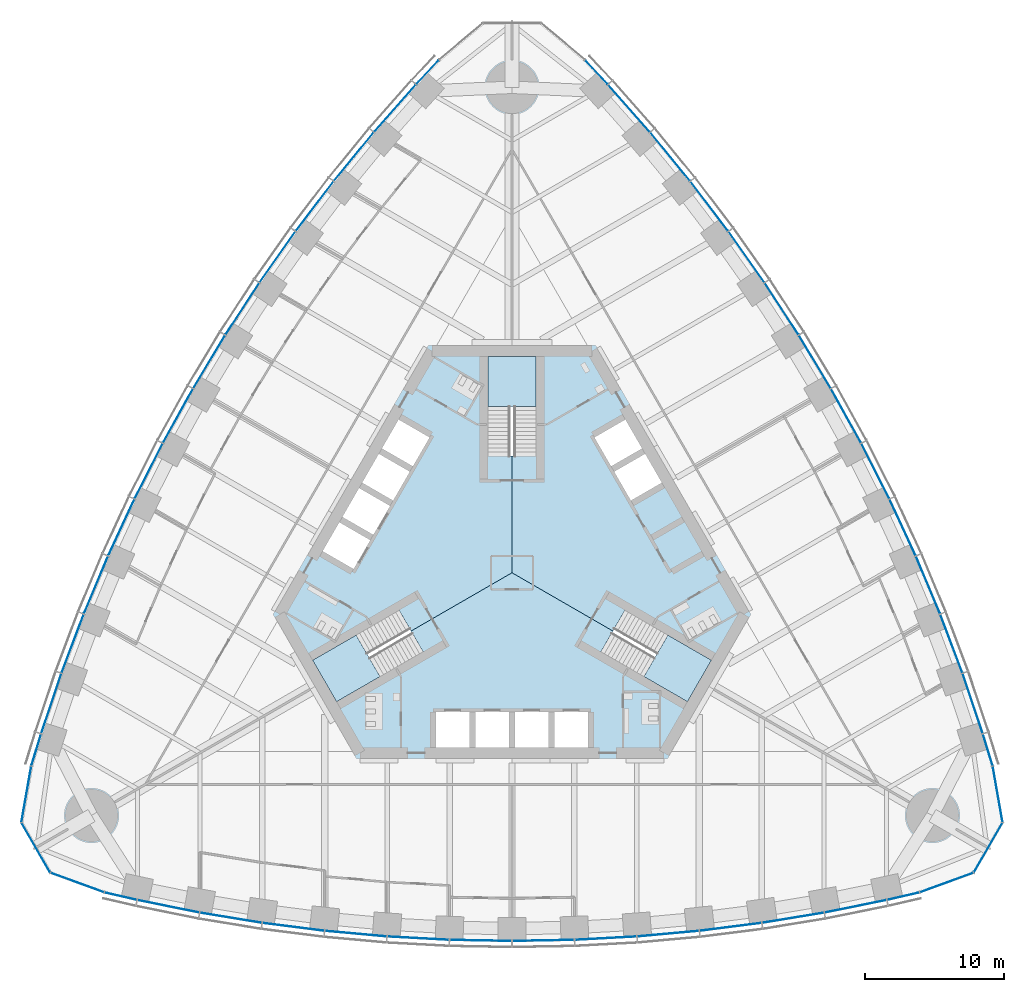
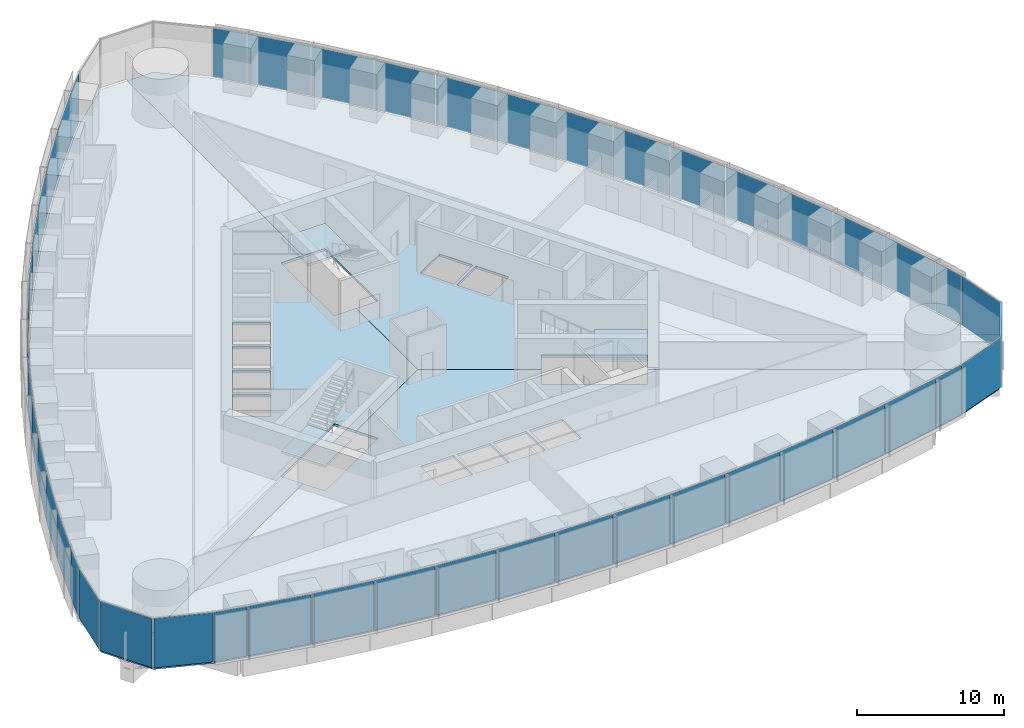
# One storey, part 9 of 18: 48 plates, 6 slabs, 8 elements without a shape of their own.
"""IFC4 building model written with IfcOpenShell, lengths in metres."""

from ifc_helpers import new_model, si_unit, direction, frame, origin, origin_2d, place, context, subcontext, project, spatial, polyline, rectangle, outline, extrude, material, layer, layer_set, type_object, element, aggregate, save


model = new_model("IFC4")

# Units and contexts
model_context = context("Model", 3, precision=1e-05, world=origin(), true_north=direction((0.0, 1.0)))
body_context = subcontext(model_context, "Body", "Model", "MODEL_VIEW")
ifc_project = project(units=[si_unit("LENGTHUNIT", "METRE"), si_unit("AREAUNIT", "SQUARE_METRE"), si_unit("VOLUMEUNIT", "CUBIC_METRE"), si_unit("PLANEANGLEUNIT", "RADIAN"), si_unit("MASSUNIT", "GRAM", prefix="KILO")], contexts=[model_context])

# Site, building, storey
site_placement = place(None, origin())
site = spatial("IfcSite", under=ifc_project, at=site_placement, CompositionType="ELEMENT")
building_placement = place(site_placement, origin())
building = spatial("IfcBuilding", under=site, at=building_placement, Name="Trefoil Bronze Tower", CompositionType="ELEMENT")
storey_placement = place(building_placement, frame((0.0, 0.0, 161.89990234375)))
storey = spatial("IfcBuildingStorey", under=building, at=storey_placement, Name="L37", CompositionType="ELEMENT", Elevation=161.89990234375)

# Curtain wall, plates
ifc_material_1 = material(Name="Tinted solar-control glass", Category="glass")
curtain_wall_type_1 = type_object("IfcCurtainWallType", Name="Bronze office curtain wall", PredefinedType="USERDEFINED", material=ifc_material_1)
curtain_wall_1_placement = place(storey_placement, origin())
curtain_wall_1 = element("IfcCurtainWall", 1, at=curtain_wall_1_placement, inside=storey, type_object=curtain_wall_type_1, Name="CW-A L37 F1", ObjectType="CURTAIN WALL", PredefinedType="USERDEFINED")
ifc_material_2 = material(Name="Tinted solar-control glass", Category="glass")
ifc_layer_1 = layer(ifc_material_2, 0.030029296875)
ifc_layer_set_1 = layer_set([ifc_layer_1], Name="Bronze office curtain wall glass panel")
plate_type_1 = type_object("IfcPlateType", Name="Bronze office curtain wall glass panel", PredefinedType="CURTAIN_PANEL", material=ifc_layer_set_1)
plate_1_placement = place(storey_placement, frame((-28.201416015625, -23.320068359375, 0.0), z_axis=(0.0, 0.0, 1.0), x_axis=(0.97420444715, -0.225667222151, 0.0)))
plate_1 = element("IfcPlate", 2, at=plate_1_placement, type_object=plate_type_1, Name="CW-A L37 F1 panel 1", PredefinedType="CURTAIN_PANEL", context=body_context, shape_type="SweptSolid", body=[
    extrude(rectangle(XDim=2.340087890625, YDim=0.030029296875, at=origin_2d()), origin(), (0.0, 0.0, 1.0), 4.080078125),
])
plate_2_placement = place(storey_placement, frame((-24.769775390625, -24.048828125, 0.0), z_axis=(0.0, 0.0, 1.0), x_axis=(0.980155155547, -0.198231861853, 0.0)))
plate_2 = element("IfcPlate", 3, at=plate_2_placement, type_object=plate_type_1, Name="CW-A L37 F1 panel 2", PredefinedType="CURTAIN_PANEL", context=body_context, shape_type="SweptSolid", body=[
    extrude(rectangle(XDim=4.51123046875, YDim=0.030029296875, at=origin_2d()), origin(), (0.0, 0.0, 1.0), 4.080078125),
])
plate_3_placement = place(storey_placement, frame((-20.26611328125, -24.87451171875, 0.0), z_axis=(0.0, 0.0, 1.0), x_axis=(0.986759655731, -0.162189339418, 0.0)))
plate_3 = element("IfcPlate", 4, at=plate_3_placement, type_object=plate_type_1, Name="CW-A L37 F1 panel 3", PredefinedType="CURTAIN_PANEL", context=body_context, shape_type="SweptSolid", body=[
    extrude(rectangle(XDim=4.48046875, YDim=0.030029296875, at=origin_2d()), origin(), (0.0, 0.0, 1.0), 4.080078125),
])
plate_4_placement = place(storey_placement, frame((-15.7626953125, -25.53076171875, 0.0), z_axis=(0.0, 0.0, 1.0), x_axis=(0.992011554286, -0.126147041833, 0.0)))
plate_4 = element("IfcPlate", 5, at=plate_4_placement, type_object=plate_type_1, Name="CW-A L37 F1 panel 4", PredefinedType="CURTAIN_PANEL", context=body_context, shape_type="SweptSolid", body=[
    extrude(rectangle(XDim=4.456298828125, YDim=0.030029296875, at=origin_2d()), origin(), (0.0, 0.0, 1.0), 4.080078125),
])
plate_5_placement = place(storey_placement, frame((-11.259033203125, -26.02099609375, 0.0), z_axis=(0.0, 0.0, 1.0), x_axis=(0.995932279146, -0.090104913044, 0.0)))
plate_5 = element("IfcPlate", 6, at=plate_5_placement, type_object=plate_type_1, Name="CW-A L37 F1 panel 5", PredefinedType="CURTAIN_PANEL", context=body_context, shape_type="SweptSolid", body=[
    extrude(rectangle(XDim=4.4384765625, YDim=0.030029296875, at=origin_2d()), origin(), (0.0, 0.0, 1.0), 4.080078125),
])
plate_6_placement = place(storey_placement, frame((-6.75537109375, -26.3466796875, 0.0), z_axis=(0.0, 0.0, 1.0), x_axis=(0.998537531923, -0.054062901701, 0.0)))
plate_6 = element("IfcPlate", 7, at=plate_6_placement, type_object=plate_type_1, Name="CW-A L37 F1 panel 6", PredefinedType="CURTAIN_PANEL", context=body_context, shape_type="SweptSolid", body=[
    extrude(rectangle(XDim=4.426513671875, YDim=0.030029296875, at=origin_2d()), origin(), (0.0, 0.0, 1.0), 4.080078125),
])
plate_7_placement = place(storey_placement, frame((-2.251708984375, -26.509033203125, 0.0), z_axis=(0.0, 0.0, 1.0), x_axis=(0.999837609322, -0.018020959612, 0.0)))
plate_7 = element("IfcPlate", 8, at=plate_7_placement, type_object=plate_type_1, Name="CW-A L37 F1 panel 7", PredefinedType="CURTAIN_PANEL", context=body_context, shape_type="SweptSolid", body=[
    extrude(rectangle(XDim=4.420654296875, YDim=0.030029296875, at=origin_2d()), origin(), (0.0, 0.0, 1.0), 4.080078125),
])
plate_8_placement = place(storey_placement, frame((2.251708984375, -26.509033203125, 0.0), z_axis=(0.0, 0.0, 1.0), x_axis=(0.999837609322, 0.018020959612, 0.0)))
plate_8 = element("IfcPlate", 9, at=plate_8_placement, type_object=plate_type_1, Name="CW-A L37 F1 panel 8", PredefinedType="CURTAIN_PANEL", context=body_context, shape_type="SweptSolid", body=[
    extrude(rectangle(XDim=4.420654296875, YDim=0.030029296875, at=origin_2d()), origin(), (0.0, 0.0, 1.0), 4.080078125),
])
plate_9_placement = place(storey_placement, frame((6.75537109375, -26.3466796875, 0.0), z_axis=(0.0, 0.0, 1.0), x_axis=(0.998537531923, 0.054062901701, 0.0)))
plate_9 = element("IfcPlate", 10, at=plate_9_placement, type_object=plate_type_1, Name="CW-A L37 F1 panel 9", PredefinedType="CURTAIN_PANEL", context=body_context, shape_type="SweptSolid", body=[
    extrude(rectangle(XDim=4.426513671875, YDim=0.030029296875, at=origin_2d()), origin(), (0.0, 0.0, 1.0), 4.080078125),
])
plate_10_placement = place(storey_placement, frame((11.259033203125, -26.02099609375, 0.0), z_axis=(0.0, 0.0, 1.0), x_axis=(0.995932279146, 0.090104913044, 0.0)))
plate_10 = element("IfcPlate", 11, at=plate_10_placement, type_object=plate_type_1, Name="CW-A L37 F1 panel 10", PredefinedType="CURTAIN_PANEL", context=body_context, shape_type="SweptSolid", body=[
    extrude(rectangle(XDim=4.4384765625, YDim=0.030029296875, at=origin_2d()), origin(), (0.0, 0.0, 1.0), 4.080078125),
])
plate_11_placement = place(storey_placement, frame((15.7626953125, -25.53076171875, 0.0), z_axis=(0.0, 0.0, 1.0), x_axis=(0.992011554286, 0.126147041833, 0.0)))
plate_11 = element("IfcPlate", 12, at=plate_11_placement, type_object=plate_type_1, Name="CW-A L37 F1 panel 11", PredefinedType="CURTAIN_PANEL", context=body_context, shape_type="SweptSolid", body=[
    extrude(rectangle(XDim=4.456298828125, YDim=0.030029296875, at=origin_2d()), origin(), (0.0, 0.0, 1.0), 4.080078125),
])
plate_12_placement = place(storey_placement, frame((20.26611328125, -24.87451171875, 0.0), z_axis=(0.0, 0.0, 1.0), x_axis=(0.986759655731, 0.162189339418, 0.0)))
plate_12 = element("IfcPlate", 13, at=plate_12_placement, type_object=plate_type_1, Name="CW-A L37 F1 panel 12", PredefinedType="CURTAIN_PANEL", context=body_context, shape_type="SweptSolid", body=[
    extrude(rectangle(XDim=4.48046875, YDim=0.030029296875, at=origin_2d()), origin(), (0.0, 0.0, 1.0), 4.080078125),
])
plate_13_placement = place(storey_placement, frame((24.769775390625, -24.048828125, 0.0), z_axis=(0.0, 0.0, 1.0), x_axis=(0.980155155547, 0.198231861853, 0.0)))
plate_13 = element("IfcPlate", 14, at=plate_13_placement, type_object=plate_type_1, Name="CW-A L37 F1 panel 13", PredefinedType="CURTAIN_PANEL", context=body_context, shape_type="SweptSolid", body=[
    extrude(rectangle(XDim=4.51123046875, YDim=0.030029296875, at=origin_2d()), origin(), (0.0, 0.0, 1.0), 4.080078125),
])
plate_14_placement = place(storey_placement, frame((28.201416015625, -23.320068359375, 0.0), z_axis=(0.0, 0.0, 1.0), x_axis=(0.97420444715, 0.225667222151, 0.0)))
plate_14 = element("IfcPlate", 15, at=plate_14_placement, type_object=plate_type_1, Name="CW-A L37 F1 panel 14", PredefinedType="CURTAIN_PANEL", context=body_context, shape_type="SweptSolid", body=[
    extrude(rectangle(XDim=2.340087890625, YDim=0.030029296875, at=origin_2d()), origin(), (0.0, 0.0, 1.0), 4.080078125),
])
aggregate(curtain_wall_1, [plate_1, plate_2, plate_3, plate_4, plate_5, plate_6, plate_7, plate_8, plate_9, plate_10, plate_11, plate_12, plate_13, plate_14])

curtain_wall_2_placement = place(storey_placement, origin())
curtain_wall_2 = element("IfcCurtainWall", 16, at=curtain_wall_2_placement, inside=storey, type_object=curtain_wall_type_1, Name="CW-A L37 F2", ObjectType="CURTAIN WALL", PredefinedType="USERDEFINED")
plate_15_placement = place(storey_placement, frame((34.296630859375, -12.762939453125, 0.0), z_axis=(0.0, 0.0, 1.0), x_axis=(-0.291668676391, 0.956519410787, 0.0)))
plate_15 = element("IfcPlate", 17, at=plate_15_placement, type_object=plate_type_1, Name="CW-A L37 F2 panel 1", PredefinedType="CURTAIN_PANEL", context=body_context, shape_type="SweptSolid", body=[
    extrude(rectangle(XDim=2.340087890625, YDim=0.030029296875, at=origin_2d()), origin(), (0.0, 0.0, 1.0), 4.080078125),
])
plate_16_placement = place(storey_placement, frame((33.2119140625, -9.4267578125, 0.0), z_axis=(0.0, 0.0, 1.0), x_axis=(-0.318403749569, 0.947955195281, 0.0)))
plate_16 = element("IfcPlate", 18, at=plate_16_placement, type_object=plate_type_1, Name="CW-A L37 F2 panel 2", PredefinedType="CURTAIN_PANEL", context=body_context, shape_type="SweptSolid", body=[
    extrude(rectangle(XDim=4.51123046875, YDim=0.030029296875, at=origin_2d()), origin(), (0.0, 0.0, 1.0), 4.080078125),
])
plate_17_placement = place(storey_placement, frame((31.675048828125, -5.11376953125, 0.0), z_axis=(0.0, 0.0, 1.0), x_axis=(-0.352919739707, 0.935653599002, 0.0)))
plate_17 = element("IfcPlate", 19, at=plate_17_placement, type_object=plate_type_1, Name="CW-A L37 F2 panel 3", PredefinedType="CURTAIN_PANEL", context=body_context, shape_type="SweptSolid", body=[
    extrude(rectangle(XDim=4.48046875, YDim=0.030029296875, at=origin_2d()), origin(), (0.0, 0.0, 1.0), 4.080078125),
])
plate_18_placement = place(storey_placement, frame((29.99169921875, -0.885498046875, 0.0), z_axis=(0.0, 0.0, 1.0), x_axis=(-0.386759234303, 0.922180727776, 0.0)))
plate_18 = element("IfcPlate", 20, at=plate_18_placement, type_object=plate_type_1, Name="CW-A L37 F2 panel 4", PredefinedType="CURTAIN_PANEL", context=body_context, shape_type="SweptSolid", body=[
    extrude(rectangle(XDim=4.456298828125, YDim=0.030029296875, at=origin_2d()), origin(), (0.0, 0.0, 1.0), 4.080078125),
])
plate_19_placement = place(storey_placement, frame((28.164306640625, 3.260009765625, 0.0), z_axis=(0.0, 0.0, 1.0), x_axis=(-0.419932995871, 0.907555110712, 0.0)))
plate_19 = element("IfcPlate", 21, at=plate_19_placement, type_object=plate_type_1, Name="CW-A L37 F2 panel 5", PredefinedType="CURTAIN_PANEL", context=body_context, shape_type="SweptSolid", body=[
    extrude(rectangle(XDim=4.4384765625, YDim=0.030029296875, at=origin_2d()), origin(), (0.0, 0.0, 1.0), 4.080078125),
])
plate_20_placement = place(storey_placement, frame((26.194580078125, 7.322998046875, 0.0), z_axis=(0.0, 0.0, 1.0), x_axis=(-0.452448919686, 0.891790320128, 0.0)))
plate_20 = element("IfcPlate", 22, at=plate_20_placement, type_object=plate_type_1, Name="CW-A L37 F2 panel 6", PredefinedType="CURTAIN_PANEL", context=body_context, shape_type="SweptSolid", body=[
    extrude(rectangle(XDim=4.426513671875, YDim=0.030029296875, at=origin_2d()), origin(), (0.0, 0.0, 1.0), 4.080078125),
])
plate_21_placement = place(storey_placement, frame((24.08349609375, 11.304443359375, 0.0), z_axis=(0.0, 0.0, 1.0), x_axis=(-0.484312195836, 0.874895249138, 0.0)))
plate_21 = element("IfcPlate", 23, at=plate_21_placement, type_object=plate_type_1, Name="CW-A L37 F2 panel 7", PredefinedType="CURTAIN_PANEL", context=body_context, shape_type="SweptSolid", body=[
    extrude(rectangle(XDim=4.420654296875, YDim=0.030029296875, at=origin_2d()), origin(), (0.0, 0.0, 1.0), 4.080078125),
])
plate_22_placement = place(storey_placement, frame((21.83154296875, 15.20458984375, 0.0), z_axis=(0.0, 0.0, 1.0), x_axis=(-0.515525413486, 0.856874289526, 0.0)))
plate_22 = element("IfcPlate", 24, at=plate_22_placement, type_object=plate_type_1, Name="CW-A L37 F2 panel 8", PredefinedType="CURTAIN_PANEL", context=body_context, shape_type="SweptSolid", body=[
    extrude(rectangle(XDim=4.420654296875, YDim=0.030029296875, at=origin_2d()), origin(), (0.0, 0.0, 1.0), 4.080078125),
])
plate_23_placement = place(storey_placement, frame((19.439208984375, 19.023681640625, 0.0), z_axis=(0.0, 0.0, 1.0), x_axis=(-0.546088612237, 0.837727418427, 0.0)))
plate_23 = element("IfcPlate", 25, at=plate_23_placement, type_object=plate_type_1, Name="CW-A L37 F2 panel 9", PredefinedType="CURTAIN_PANEL", context=body_context, shape_type="SweptSolid", body=[
    extrude(rectangle(XDim=4.426513671875, YDim=0.030029296875, at=origin_2d()), origin(), (0.0, 0.0, 1.0), 4.080078125),
])
plate_24_placement = place(storey_placement, frame((16.9052734375, 22.760986328125, 0.0), z_axis=(0.0, 0.0, 1.0), x_axis=(-0.575999283275, 0.817450197667, 0.0)))
plate_24 = element("IfcPlate", 26, at=plate_24_placement, type_object=plate_type_1, Name="CW-A L37 F2 panel 10", PredefinedType="CURTAIN_PANEL", context=body_context, shape_type="SweptSolid", body=[
    extrude(rectangle(XDim=4.4384765625, YDim=0.030029296875, at=origin_2d()), origin(), (0.0, 0.0, 1.0), 4.080078125),
])
plate_25_placement = place(storey_placement, frame((14.22900390625, 26.416259765625, 0.0), z_axis=(0.0, 0.0, 1.0), x_axis=(-0.605252319983, 0.796033685943, 0.0)))
plate_25 = element("IfcPlate", 27, at=plate_25_placement, type_object=plate_type_1, Name="CW-A L37 F2 panel 11", PredefinedType="CURTAIN_PANEL", context=body_context, shape_type="SweptSolid", body=[
    extrude(rectangle(XDim=4.456298828125, YDim=0.030029296875, at=origin_2d()), origin(), (0.0, 0.0, 1.0), 4.080078125),
])
plate_26_placement = place(storey_placement, frame((11.40869140625, 29.98828125, 0.0), z_axis=(0.0, 0.0, 1.0), x_axis=(-0.633839916024, 0.773464259584, 0.0)))
plate_26 = element("IfcPlate", 28, at=plate_26_placement, type_object=plate_type_1, Name="CW-A L37 F2 panel 12", PredefinedType="CURTAIN_PANEL", context=body_context, shape_type="SweptSolid", body=[
    extrude(rectangle(XDim=4.48046875, YDim=0.030029296875, at=origin_2d()), origin(), (0.0, 0.0, 1.0), 4.080078125),
])
plate_27_placement = place(storey_placement, frame((8.442138671875, 33.475830078125, 0.0), z_axis=(0.0, 0.0, 1.0), x_axis=(-0.661751405978, 0.749723333428, 0.0)))
plate_27 = element("IfcPlate", 29, at=plate_27_placement, type_object=plate_type_1, Name="CW-A L37 F2 panel 13", PredefinedType="CURTAIN_PANEL", context=body_context, shape_type="SweptSolid", body=[
    extrude(rectangle(XDim=4.51123046875, YDim=0.030029296875, at=origin_2d()), origin(), (0.0, 0.0, 1.0), 4.080078125),
])
plate_28_placement = place(storey_placement, frame((6.09521484375, 36.083251953125, 0.0), z_axis=(0.0, 0.0, 1.0), x_axis=(-0.682535770759, 0.730852188636, 0.0)))
plate_28 = element("IfcPlate", 30, at=plate_28_placement, type_object=plate_type_1, Name="CW-A L37 F2 panel 14", PredefinedType="CURTAIN_PANEL", context=body_context, shape_type="SweptSolid", body=[
    extrude(rectangle(XDim=2.340087890625, YDim=0.030029296875, at=origin_2d()), origin(), (0.0, 0.0, 1.0), 4.080078125),
])
aggregate(curtain_wall_2, [plate_15, plate_16, plate_17, plate_18, plate_19, plate_20, plate_21, plate_22, plate_23, plate_24, plate_25, plate_26, plate_27, plate_28])

curtain_wall_3_placement = place(storey_placement, origin())
curtain_wall_3 = element("IfcCurtainWall", 31, at=curtain_wall_3_placement, inside=storey, type_object=curtain_wall_type_1, Name="CW-A L37 F3", ObjectType="CURTAIN WALL", PredefinedType="USERDEFINED")
plate_29_placement = place(storey_placement, frame((-6.09521484375, 36.083251953125, 0.0), z_axis=(0.0, 0.0, 1.0), x_axis=(-0.682535770759, -0.730852188636, 0.0)))
plate_29 = element("IfcPlate", 32, at=plate_29_placement, type_object=plate_type_1, Name="CW-A L37 F3 panel 1", PredefinedType="CURTAIN_PANEL", context=body_context, shape_type="SweptSolid", body=[
    extrude(rectangle(XDim=2.340087890625, YDim=0.030029296875, at=origin_2d()), origin(), (0.0, 0.0, 1.0), 4.080078125),
])
plate_30_placement = place(storey_placement, frame((-8.442138671875, 33.475830078125, 0.0), z_axis=(0.0, 0.0, 1.0), x_axis=(-0.661751405978, -0.749723333428, 0.0)))
plate_30 = element("IfcPlate", 33, at=plate_30_placement, type_object=plate_type_1, Name="CW-A L37 F3 panel 2", PredefinedType="CURTAIN_PANEL", context=body_context, shape_type="SweptSolid", body=[
    extrude(rectangle(XDim=4.51123046875, YDim=0.030029296875, at=origin_2d()), origin(), (0.0, 0.0, 1.0), 4.080078125),
])
plate_31_placement = place(storey_placement, frame((-11.40869140625, 29.98828125, 0.0), z_axis=(0.0, 0.0, 1.0), x_axis=(-0.633839916024, -0.773464259584, 0.0)))
plate_31 = element("IfcPlate", 34, at=plate_31_placement, type_object=plate_type_1, Name="CW-A L37 F3 panel 3", PredefinedType="CURTAIN_PANEL", context=body_context, shape_type="SweptSolid", body=[
    extrude(rectangle(XDim=4.48046875, YDim=0.030029296875, at=origin_2d()), origin(), (0.0, 0.0, 1.0), 4.080078125),
])
plate_32_placement = place(storey_placement, frame((-14.22900390625, 26.416259765625, 0.0), z_axis=(0.0, 0.0, 1.0), x_axis=(-0.605252319983, -0.796033685943, 0.0)))
plate_32 = element("IfcPlate", 35, at=plate_32_placement, type_object=plate_type_1, Name="CW-A L37 F3 panel 4", PredefinedType="CURTAIN_PANEL", context=body_context, shape_type="SweptSolid", body=[
    extrude(rectangle(XDim=4.456298828125, YDim=0.030029296875, at=origin_2d()), origin(), (0.0, 0.0, 1.0), 4.080078125),
])
plate_33_placement = place(storey_placement, frame((-16.9052734375, 22.760986328125, 0.0), z_axis=(0.0, 0.0, 1.0), x_axis=(-0.575999283275, -0.817450197667, 0.0)))
plate_33 = element("IfcPlate", 36, at=plate_33_placement, type_object=plate_type_1, Name="CW-A L37 F3 panel 5", PredefinedType="CURTAIN_PANEL", context=body_context, shape_type="SweptSolid", body=[
    extrude(rectangle(XDim=4.4384765625, YDim=0.030029296875, at=origin_2d()), origin(), (0.0, 0.0, 1.0), 4.080078125),
])
plate_34_placement = place(storey_placement, frame((-19.439208984375, 19.023681640625, 0.0), z_axis=(0.0, 0.0, 1.0), x_axis=(-0.546088612237, -0.837727418427, 0.0)))
plate_34 = element("IfcPlate", 37, at=plate_34_placement, type_object=plate_type_1, Name="CW-A L37 F3 panel 6", PredefinedType="CURTAIN_PANEL", context=body_context, shape_type="SweptSolid", body=[
    extrude(rectangle(XDim=4.426513671875, YDim=0.030029296875, at=origin_2d()), origin(), (0.0, 0.0, 1.0), 4.080078125),
])
plate_35_placement = place(storey_placement, frame((-21.83154296875, 15.20458984375, 0.0), z_axis=(0.0, 0.0, 1.0), x_axis=(-0.515525413486, -0.856874289526, 0.0)))
plate_35 = element("IfcPlate", 38, at=plate_35_placement, type_object=plate_type_1, Name="CW-A L37 F3 panel 7", PredefinedType="CURTAIN_PANEL", context=body_context, shape_type="SweptSolid", body=[
    extrude(rectangle(XDim=4.420654296875, YDim=0.030029296875, at=origin_2d()), origin(), (0.0, 0.0, 1.0), 4.080078125),
])
plate_36_placement = place(storey_placement, frame((-24.08349609375, 11.304443359375, 0.0), z_axis=(0.0, 0.0, 1.0), x_axis=(-0.484312195836, -0.874895249138, 0.0)))
plate_36 = element("IfcPlate", 39, at=plate_36_placement, type_object=plate_type_1, Name="CW-A L37 F3 panel 8", PredefinedType="CURTAIN_PANEL", context=body_context, shape_type="SweptSolid", body=[
    extrude(rectangle(XDim=4.420654296875, YDim=0.030029296875, at=origin_2d()), origin(), (0.0, 0.0, 1.0), 4.080078125),
])
plate_37_placement = place(storey_placement, frame((-26.194580078125, 7.322998046875, 0.0), z_axis=(0.0, 0.0, 1.0), x_axis=(-0.452448919686, -0.891790320128, 0.0)))
plate_37 = element("IfcPlate", 40, at=plate_37_placement, type_object=plate_type_1, Name="CW-A L37 F3 panel 9", PredefinedType="CURTAIN_PANEL", context=body_context, shape_type="SweptSolid", body=[
    extrude(rectangle(XDim=4.426513671875, YDim=0.030029296875, at=origin_2d()), origin(), (0.0, 0.0, 1.0), 4.080078125),
])
plate_38_placement = place(storey_placement, frame((-28.164306640625, 3.260009765625, 0.0), z_axis=(0.0, 0.0, 1.0), x_axis=(-0.419932995871, -0.907555110712, 0.0)))
plate_38 = element("IfcPlate", 41, at=plate_38_placement, type_object=plate_type_1, Name="CW-A L37 F3 panel 10", PredefinedType="CURTAIN_PANEL", context=body_context, shape_type="SweptSolid", body=[
    extrude(rectangle(XDim=4.4384765625, YDim=0.030029296875, at=origin_2d()), origin(), (0.0, 0.0, 1.0), 4.080078125),
])
plate_39_placement = place(storey_placement, frame((-29.99169921875, -0.885498046875, 0.0), z_axis=(0.0, 0.0, 1.0), x_axis=(-0.386759234303, -0.922180727776, 0.0)))
plate_39 = element("IfcPlate", 42, at=plate_39_placement, type_object=plate_type_1, Name="CW-A L37 F3 panel 11", PredefinedType="CURTAIN_PANEL", context=body_context, shape_type="SweptSolid", body=[
    extrude(rectangle(XDim=4.456298828125, YDim=0.030029296875, at=origin_2d()), origin(), (0.0, 0.0, 1.0), 4.080078125),
])
plate_40_placement = place(storey_placement, frame((-31.675048828125, -5.11376953125, 0.0), z_axis=(0.0, 0.0, 1.0), x_axis=(-0.352919739707, -0.935653599002, 0.0)))
plate_40 = element("IfcPlate", 43, at=plate_40_placement, type_object=plate_type_1, Name="CW-A L37 F3 panel 12", PredefinedType="CURTAIN_PANEL", context=body_context, shape_type="SweptSolid", body=[
    extrude(rectangle(XDim=4.48046875, YDim=0.030029296875, at=origin_2d()), origin(), (0.0, 0.0, 1.0), 4.080078125),
])
plate_41_placement = place(storey_placement, frame((-33.2119140625, -9.4267578125, 0.0), z_axis=(0.0, 0.0, 1.0), x_axis=(-0.318403749569, -0.947955195281, 0.0)))
plate_41 = element("IfcPlate", 44, at=plate_41_placement, type_object=plate_type_1, Name="CW-A L37 F3 panel 13", PredefinedType="CURTAIN_PANEL", context=body_context, shape_type="SweptSolid", body=[
    extrude(rectangle(XDim=4.51123046875, YDim=0.030029296875, at=origin_2d()), origin(), (0.0, 0.0, 1.0), 4.080078125),
])
plate_42_placement = place(storey_placement, frame((-34.296630859375, -12.762939453125, 0.0), z_axis=(0.0, 0.0, 1.0), x_axis=(-0.291668676391, -0.956519410787, 0.0)))
plate_42 = element("IfcPlate", 45, at=plate_42_placement, type_object=plate_type_1, Name="CW-A L37 F3 panel 14", PredefinedType="CURTAIN_PANEL", context=body_context, shape_type="SweptSolid", body=[
    extrude(rectangle(XDim=2.340087890625, YDim=0.030029296875, at=origin_2d()), origin(), (0.0, 0.0, 1.0), 4.080078125),
])
aggregate(curtain_wall_3, [plate_29, plate_30, plate_31, plate_32, plate_33, plate_34, plate_35, plate_36, plate_37, plate_38, plate_39, plate_40, plate_41, plate_42])

ifc_material_3 = material(Name="Tinted solar-control glass", Category="glass")
curtain_wall_type_2 = type_object("IfcCurtainWallType", Name="Bronze rounded corner curtain wall", PredefinedType="USERDEFINED", material=ifc_material_3)
curtain_wall_4_placement = place(storey_placement, origin())
curtain_wall_4 = element("IfcCurtainWall", 46, at=curtain_wall_4_placement, inside=storey, type_object=curtain_wall_type_2, Name="CW-B L37 K1", ObjectType="CURTAIN WALL", PredefinedType="USERDEFINED")
ifc_material_4 = material(Name="Tinted solar-control glass", Category="glass")
ifc_layer_2 = layer(ifc_material_4, 0.030029296875)
ifc_layer_set_2 = layer_set([ifc_layer_2], Name="Bronze rounded corner curtain wall glass panel")
plate_type_2 = type_object("IfcPlateType", Name="Bronze rounded corner curtain wall glass panel", PredefinedType="CURTAIN_PANEL", material=ifc_layer_set_2)
plate_43_placement = place(storey_placement, frame((31.3203125, -22.341796875, 0.0), z_axis=(0.0, 0.0, 1.0), x_axis=(0.939692620786, 0.342020143326, 0.0)))
plate_43 = element("IfcPlate", 47, at=plate_43_placement, type_object=plate_type_2, Name="CW-B L37 K1 panel 1", PredefinedType="CURTAIN_PANEL", context=body_context, shape_type="SweptSolid", body=[
    extrude(rectangle(XDim=4.044189453125, YDim=0.030029296875, at=origin_2d()), origin(), (0.0, 0.0, 1.0), 4.080078125),
])
plate_44_placement = place(storey_placement, frame((34.3271484375, -19.81884765625, 0.0), z_axis=(0.0, 0.0, 1.0), x_axis=(0.5, 0.866025403784, 0.0)))
plate_44 = element("IfcPlate", 48, at=plate_44_placement, type_object=plate_type_2, Name="CW-B L37 K1 panel 2", PredefinedType="CURTAIN_PANEL", context=body_context, shape_type="SweptSolid", body=[
    extrude(rectangle(XDim=4.044189453125, YDim=0.030029296875, at=origin_2d()), origin(), (0.0, 0.0, 1.0), 4.080078125),
])
plate_45_placement = place(storey_placement, frame((35.0087890625, -15.953369140625, 0.0), z_axis=(0.0, 0.0, 1.0), x_axis=(-0.173648177667, 0.984807753012, 0.0)))
plate_45 = element("IfcPlate", 49, at=plate_45_placement, type_object=plate_type_2, Name="CW-B L37 K1 panel 3", PredefinedType="CURTAIN_PANEL", context=body_context, shape_type="SweptSolid", body=[
    extrude(rectangle(XDim=4.044189453125, YDim=0.030029296875, at=origin_2d()), origin(), (0.0, 0.0, 1.0), 4.080078125),
])
aggregate(curtain_wall_4, [plate_43, plate_44, plate_45])

curtain_wall_5_placement = place(storey_placement, origin())
curtain_wall_5 = element("IfcCurtainWall", 50, at=curtain_wall_5_placement, inside=storey, type_object=curtain_wall_type_2, Name="CW-B L37 K3", ObjectType="CURTAIN WALL", PredefinedType="USERDEFINED")
plate_46_placement = place(storey_placement, frame((-35.0087890625, -15.953369140625, 0.0), z_axis=(0.0, 0.0, 1.0), x_axis=(-0.173648177667, -0.984807753012, 0.0)))
plate_46 = element("IfcPlate", 51, at=plate_46_placement, type_object=plate_type_2, Name="CW-B L37 K3 panel 1", PredefinedType="CURTAIN_PANEL", context=body_context, shape_type="SweptSolid", body=[
    extrude(rectangle(XDim=4.044189453125, YDim=0.030029296875, at=origin_2d()), origin(), (0.0, 0.0, 1.0), 4.080078125),
])
plate_47_placement = place(storey_placement, frame((-34.3271484375, -19.81884765625, 0.0), z_axis=(0.0, 0.0, 1.0), x_axis=(0.5, -0.866025403784, 0.0)))
plate_47 = element("IfcPlate", 52, at=plate_47_placement, type_object=plate_type_2, Name="CW-B L37 K3 panel 2", PredefinedType="CURTAIN_PANEL", context=body_context, shape_type="SweptSolid", body=[
    extrude(rectangle(XDim=4.044189453125, YDim=0.030029296875, at=origin_2d()), origin(), (0.0, 0.0, 1.0), 4.080078125),
])
plate_48_placement = place(storey_placement, frame((-31.3203125, -22.341796875, 0.0), z_axis=(0.0, 0.0, 1.0), x_axis=(0.939692620786, -0.342020143326, 0.0)))
plate_48 = element("IfcPlate", 53, at=plate_48_placement, type_object=plate_type_2, Name="CW-B L37 K3 panel 3", PredefinedType="CURTAIN_PANEL", context=body_context, shape_type="SweptSolid", body=[
    extrude(rectangle(XDim=4.044189453125, YDim=0.030029296875, at=origin_2d()), origin(), (0.0, 0.0, 1.0), 4.080078125),
])
aggregate(curtain_wall_5, [plate_46, plate_47, plate_48])

# Slabs
ifc_material_5 = material(Name="Concrete B30", Category="concrete")
ifc_layer_3 = layer(ifc_material_5, 0.199951171875)
ifc_layer_set_3 = layer_set([ifc_layer_3], Name="Floor slab 200")
slab_type_1 = type_object("IfcSlabType", Name="Floor slab 200", PredefinedType="FLOOR", material=ifc_layer_set_3)
slab_1_placement = place(storey_placement, frame((0.0, 0.0, -0.199951171875)))
element("IfcSlab", 54, at=slab_1_placement, inside=storey, type_object=slab_type_1, Name="Floor slab L37 face 1", PredefinedType="FLOOR", context=body_context, shape_type="SweptSolid", body=[
    extrude(outline(polyline([(22.5, -24.406005859375), (18.0, -25.1455078125), (13.5, -25.7177734375), (9.0, -26.125), (4.5, -26.36865234375), (0.0, -26.44970703125), (-4.5, -26.36865234375), (-9.0, -26.125), (-13.5, -25.7177734375), (-18.0, -25.1455078125), (-22.5, -24.406005859375), (-27.0, -23.495849609375), (-29.357666015625, -22.94970703125), (-33.21435546875, -21.5458984375), (-34.240478515625, -19.768798828125), (-13.510009765625, -7.800048828125), (-12.6474609375, -9.2939453125), (-6.412109375, -5.69384765625), (-7.274658203125, -4.199951171875), (0.0, 0.0), (7.274658203125, -4.199951171875), (6.412109375, -5.69384765625), (12.6474609375, -9.2939453125), (13.510009765625, -7.800048828125), (34.240478515625, -19.768798828125), (33.21435546875, -21.5458984375), (29.357666015625, -22.94970703125), (27.0, -23.495849609375), (22.5, -24.406005859375)]), holes=[polyline([(-5.574951171875, -10.02490234375), (-2.97509765625, -10.02490234375), (-2.97509765625, -12.60009765625), (-5.574951171875, -12.60009765625), (-5.574951171875, -10.02490234375)]), polyline([(-2.72509765625, -10.02490234375), (-0.125, -10.02490234375), (-0.125, -12.60009765625), (-2.72509765625, -12.60009765625), (-2.72509765625, -10.02490234375)]), polyline([(0.125, -10.02490234375), (2.72509765625, -10.02490234375), (2.72509765625, -12.60009765625), (0.125, -12.60009765625), (0.125, -10.02490234375)]), polyline([(2.97509765625, -10.02490234375), (5.574951171875, -10.02490234375), (5.574951171875, -12.60009765625), (2.97509765625, -12.60009765625), (2.97509765625, -10.02490234375)])]), origin(), (0.0, 0.0, 1.0), 0.199951171875),
])
slab_2_placement = place(storey_placement, frame((0.0, 0.0, -0.199951171875)))
element("IfcSlab", 55, at=slab_2_placement, inside=storey, type_object=slab_type_1, Name="Floor slab L37 face 2", PredefinedType="FLOOR", context=body_context, shape_type="SweptSolid", body=[
    extrude(outline(polyline([(9.88623046875, 31.6884765625), (12.776611328125, 28.1611328125), (15.522216796875, 24.55029296875), (18.124755859375, 20.856689453125), (20.5859375, 17.081298828125), (22.906005859375, 13.224853515625), (25.0859375, 9.287109375), (27.124755859375, 5.268310546875), (29.022216796875, 1.16748046875), (30.776611328125, -3.015625), (32.38623046875, -7.28271484375), (33.847900390625, -11.634765625), (34.553955078125, -13.94970703125), (35.2666015625, -17.991455078125), (34.240478515625, -19.768798828125), (13.510009765625, -7.800048828125), (14.37255859375, -6.30615234375), (8.13720703125, -2.7060546875), (7.274658203125, -4.199951171875), (0.0, 0.0), (0.0, 8.39990234375), (1.72509765625, 8.39990234375), (1.72509765625, 15.60009765625), (0.0, 15.60009765625), (0.0, 39.53759765625), (2.052001953125, 39.53759765625), (5.196044921875, 36.8994140625), (6.847900390625, 35.130615234375), (9.88623046875, 31.6884765625)]), holes=[polyline([(8.619384765625, 5.120849609375), (7.3193359375, 7.372314453125), (9.54931640625, 8.659912109375), (10.849365234375, 6.408203125), (8.619384765625, 5.120849609375)]), polyline([(7.1943359375, 7.5888671875), (5.894287109375, 9.840576171875), (8.12451171875, 11.128173828125), (9.42431640625, 8.87646484375), (7.1943359375, 7.5888671875)])]), origin(), (0.0, 0.0, 1.0), 0.199951171875),
])
slab_3_placement = place(storey_placement, frame((0.0, 0.0, -0.199951171875)))
element("IfcSlab", 56, at=slab_3_placement, inside=storey, type_object=slab_type_1, Name="Floor slab L37 face 3", PredefinedType="FLOOR", context=body_context, shape_type="SweptSolid", body=[
    extrude(outline(polyline([(-32.38623046875, -7.28271484375), (-30.776611328125, -3.015625), (-29.022216796875, 1.16748046875), (-27.124755859375, 5.268310546875), (-25.0859375, 9.287109375), (-22.906005859375, 13.224853515625), (-20.5859375, 17.081298828125), (-18.124755859375, 20.856689453125), (-15.522216796875, 24.55029296875), (-12.776611328125, 28.1611328125), (-9.88623046875, 31.6884765625), (-6.847900390625, 35.130615234375), (-5.196044921875, 36.8994140625), (-2.052001953125, 39.53759765625), (0.0, 39.53759765625), (0.0, 15.60009765625), (-1.72509765625, 15.60009765625), (-1.72509765625, 8.39990234375), (0.0, 8.39990234375), (0.0, 0.0), (-7.274658203125, -4.199951171875), (-8.13720703125, -2.7060546875), (-14.37255859375, -6.30615234375), (-13.510009765625, -7.800048828125), (-34.240478515625, -19.768798828125), (-35.2666015625, -17.991455078125), (-34.553955078125, -13.94970703125), (-33.847900390625, -11.634765625), (-32.38623046875, -7.28271484375)]), holes=[polyline([(-5.894287109375, 9.840576171875), (-7.1943359375, 7.5888671875), (-9.42431640625, 8.87646484375), (-8.12451171875, 11.128173828125), (-5.894287109375, 9.840576171875)]), polyline([(-7.3193359375, 7.372314453125), (-8.619384765625, 5.120849609375), (-10.849365234375, 6.408203125), (-9.54931640625, 8.659912109375), (-7.3193359375, 7.372314453125)]), polyline([(-8.744384765625, 4.904296875), (-10.04443359375, 2.652587890625), (-12.2744140625, 3.940185546875), (-10.974365234375, 6.191650390625), (-8.744384765625, 4.904296875)]), polyline([(-10.16943359375, 2.43603515625), (-11.469482421875, 0.184326171875), (-13.699462890625, 1.471923828125), (-12.3994140625, 3.7236328125), (-10.16943359375, 2.43603515625)])]), origin(), (0.0, 0.0, 1.0), 0.199951171875),
])

# Stair, slab
ifc_material_6 = material(Name="Precast concrete B80", Category="concrete")
stair_type = type_object("IfcStairType", Name="Exit stair 26 risers", PredefinedType="HALF_TURN_STAIR", material=ifc_material_6)
stair_1_placement = place(storey_placement, origin())
stair_1 = element("IfcStair", 57, at=stair_1_placement, inside=storey, type_object=stair_type, Name="Stair ST1 L37", PredefinedType="HALF_TURN_STAIR")
ifc_material_7 = material(Name="Concrete B30", Category="concrete")
ifc_layer_4 = layer(ifc_material_7, 0.199951171875)
ifc_layer_set_4 = layer_set([ifc_layer_4], Name="Stair landing 200")
slab_type_2 = type_object("IfcSlabType", Name="Stair landing 200", PredefinedType="LANDING", material=ifc_layer_set_4)
slab_4_placement = place(storey_placement, frame((0.0, 0.0, 1.900146484375)))
slab_4 = element("IfcSlab", 58, at=slab_4_placement, type_object=slab_type_2, Name="ST1 landing 1", PredefinedType="LANDING", context=body_context, shape_type="SweptSolid", body=[
    extrude(outline(polyline([(9.512451171875, -7.48388671875), (12.6474609375, -9.2939453125), (14.37255859375, -6.30615234375), (11.237548828125, -4.49609375), (9.512451171875, -7.48388671875)])), origin(), (0.0, 0.0, 1.0), 0.199951171875),
])
aggregate(stair_1, [slab_4])

stair_2_placement = place(storey_placement, origin())
stair_2 = element("IfcStair", 59, at=stair_2_placement, inside=storey, type_object=stair_type, Name="Stair ST2 L37", PredefinedType="HALF_TURN_STAIR")
slab_5_placement = place(storey_placement, frame((0.0, 0.0, 1.900146484375)))
slab_5 = element("IfcSlab", 60, at=slab_5_placement, type_object=slab_type_2, Name="ST2 landing 1", PredefinedType="LANDING", context=body_context, shape_type="SweptSolid", body=[
    extrude(outline(polyline([(1.72509765625, 11.97998046875), (1.72509765625, 15.60009765625), (-1.72509765625, 15.60009765625), (-1.72509765625, 11.97998046875), (1.72509765625, 11.97998046875)])), origin(), (0.0, 0.0, 1.0), 0.199951171875),
])
aggregate(stair_2, [slab_5])

stair_3_placement = place(storey_placement, origin())
stair_3 = element("IfcStair", 61, at=stair_3_placement, inside=storey, type_object=stair_type, Name="Stair ST3 L37", PredefinedType="HALF_TURN_STAIR")
slab_6_placement = place(storey_placement, frame((0.0, 0.0, 1.900146484375)))
slab_6 = element("IfcSlab", 62, at=slab_6_placement, type_object=slab_type_2, Name="ST3 landing 1", PredefinedType="LANDING", context=body_context, shape_type="SweptSolid", body=[
    extrude(outline(polyline([(-11.237548828125, -4.49609375), (-14.37255859375, -6.30615234375), (-12.6474609375, -9.2939453125), (-9.512451171875, -7.48388671875), (-11.237548828125, -4.49609375)])), origin(), (0.0, 0.0, 1.0), 0.199951171875),
])
aggregate(stair_3, [slab_6])

save(model, "model.ifc")
